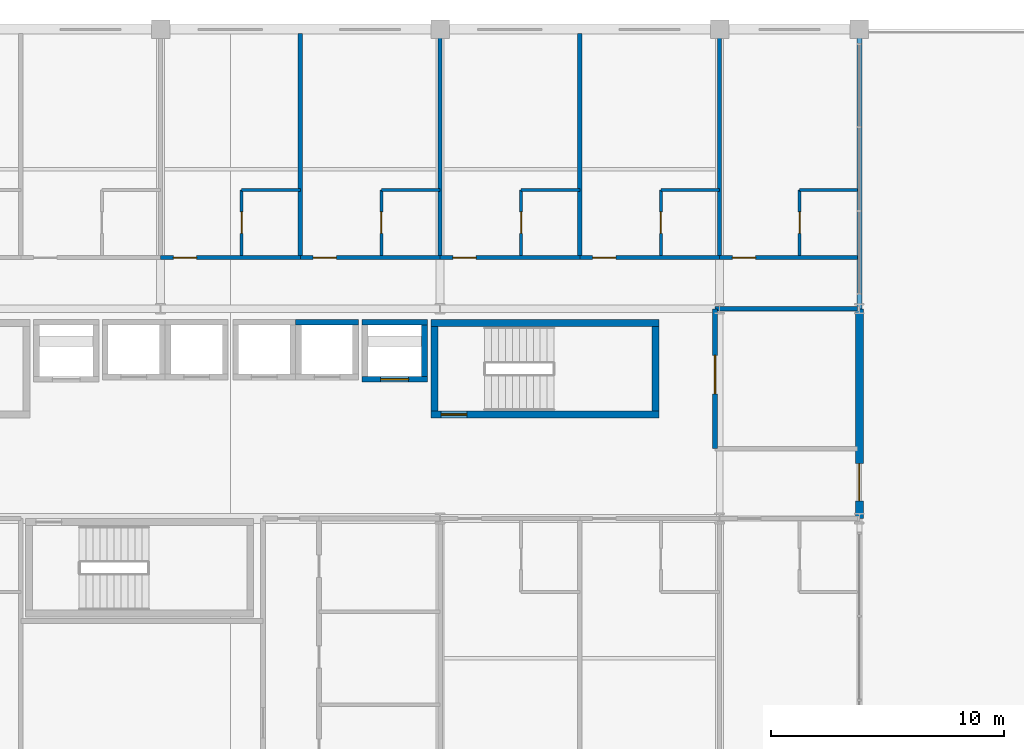
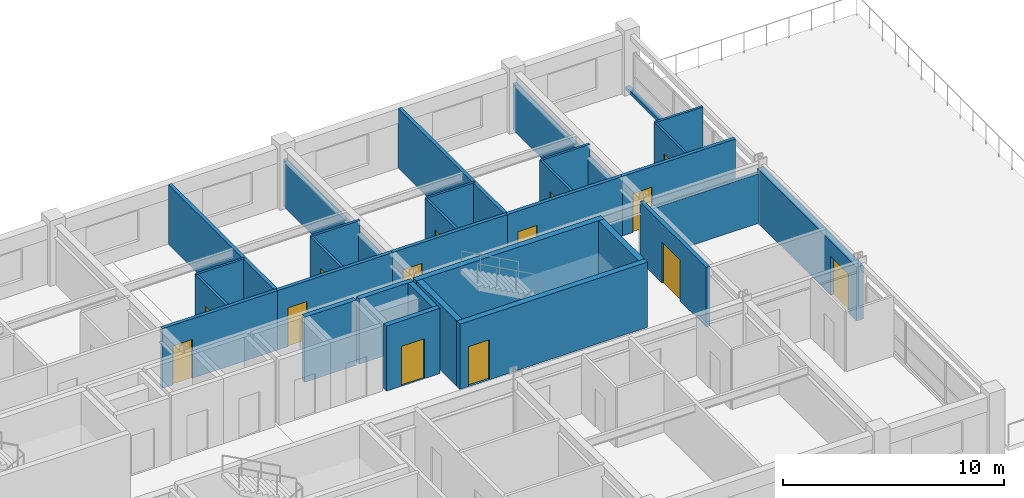
# One storey, part 24 of 27: 31 walls, 14 doors, 14 openings.
"""IFC4 building model written with IfcOpenShell, lengths in metres."""

import ifcopenshell
import ifcopenshell.guid

model = None  # the IFC model being written
_history = None  # IfcOwnerHistory: only IFC2X3 demands one
_inside = {}  # id of a spatial element -> (the spatial element, [elements in it])
_under = {}  # id of a project, library or spatial element -> (it, [spatial elements below it])
_declared = {}  # id of a project -> (the project, [libraries it declares])
_typed = {}  # id of a type object -> (the type object, [elements of that type])
_made_of = {}  # id of a material, layer set ... -> (it, [elements and type objects made of it])


def new_model(schema):
    """Start an empty IFC model of exactly this schema.

    Asked for "IFC4X3", IfcOpenShell would pick the latest addendum, in which some entities
    have other attributes; the version numbers below select the first issue.
    IFC2X3 requires an IfcOwnerHistory on every rooted entity: one is made here for all.
    """
    global model, _history
    if schema == "IFC4X3":
        model = ifcopenshell.file(schema_version=(4, 3, 0, 0))
    else:
        model = ifcopenshell.file(schema=schema)
    _inside.clear()
    _under.clear()
    _declared.clear()
    _typed.clear()
    _made_of.clear()
    _history = None
    if model.schema == "IFC2X3":
        org = make("IfcOrganization", Name="unknown")
        user = make(
            "IfcPersonAndOrganization",
            ThePerson=make("IfcPerson", FamilyName="unknown"),
            TheOrganization=org,
        )
        app = make(
            "IfcApplication",
            ApplicationDeveloper=org,
            Version="unknown",
            ApplicationFullName="unknown",
            ApplicationIdentifier="unknown",
        )
        _history = make(
            "IfcOwnerHistory",
            OwningUser=user,
            OwningApplication=app,
            ChangeAction="ADDED",
            CreationDate=0,
        )
    return model


def make(cls, **values):
    """One entity of the class cls with the attributes given. An attribute that is None is left unset."""
    return model.create_entity(
        cls, **{name: value for name, value in values.items() if value is not None}
    )


def rooted(cls, **values):
    """An entity with a GlobalId (a new one), such as an element, a storey or a relation."""
    return make(cls, GlobalId=ifcopenshell.guid.new(), OwnerHistory=_history, **values)


def si_unit(unit_type, name, prefix=None):
    """IfcSIUnit, for example si_unit("LENGTHUNIT", "METRE", prefix="MILLI")."""
    return make("IfcSIUnit", UnitType=unit_type, Prefix=prefix, Name=name)


def assignment(units):
    """IfcUnitAssignment: the units of a project."""
    return None if units is None else make("IfcUnitAssignment", Units=units)


def point(xyz):
    """IfcCartesianPoint."""
    return None if xyz is None else make("IfcCartesianPoint", Coordinates=xyz)


def direction(xyz):
    """IfcDirection."""
    return None if xyz is None else make("IfcDirection", DirectionRatios=xyz)


def frame(location, z_axis=None, x_axis=None):
    """IfcAxis2Placement3D, a coordinate frame: its origin and axes. An axis left out is left unset."""
    return make(
        "IfcAxis2Placement3D",
        Location=point(location),
        Axis=direction(z_axis),
        RefDirection=direction(x_axis),
    )


def frame_2d(location, x_axis=None):
    """IfcAxis2Placement2D, a coordinate frame in the plane: its origin and x axis."""
    return make(
        "IfcAxis2Placement2D", Location=point(location), RefDirection=direction(x_axis)
    )


def origin():
    """The frame at (0, 0, 0) with its axes left unset."""
    return frame((0.0, 0.0, 0.0))


def place(relative_to, where):
    """IfcLocalPlacement: puts the frame where relative to a parent placement (None: the world)."""
    return make(
        "IfcLocalPlacement", PlacementRelTo=relative_to, RelativePlacement=where
    )


def context(
    kind, dimensions, precision=None, world=None, true_north=None, identifier=None
):
    """IfcGeometricRepresentationContext, for example the 3D "Model" context."""
    return make(
        "IfcGeometricRepresentationContext",
        ContextIdentifier=identifier,
        ContextType=kind,
        CoordinateSpaceDimension=dimensions,
        Precision=precision,
        WorldCoordinateSystem=world,
        TrueNorth=true_north,
    )


def subcontext(parent, identifier, kind, view, scale=None):
    """IfcGeometricRepresentationSubContext, for example "Body" below "Model"."""
    return make(
        "IfcGeometricRepresentationSubContext",
        ContextIdentifier=identifier,
        ContextType=kind,
        ParentContext=parent,
        TargetScale=scale,
        TargetView=view,
    )


def project(units=None, contexts=None):
    """IfcProject with its units and contexts."""
    return rooted(
        "IfcProject",
        Name="project",
        RepresentationContexts=contexts,
        UnitsInContext=assignment(units),
    )


def spatial(cls, under=None, at=None, **own):
    """A site, building, storey or space (cls), placed at a placement, below another one or the project."""
    s = rooted(cls, ObjectPlacement=at, **own)
    if under is not None:
        _under.setdefault(under.id(), (under, []))[1].append(s)
    return s


def profile(cls, at=None, kind="AREA", **sizes):
    """A parametric profile (cls). Its sizes go by their IFC names, for example OverallWidth=200.0."""
    return make(cls, ProfileType=kind, Position=at, **sizes)


def rectangle(**sizes):
    """IfcRectangleProfileDef."""
    return profile("IfcRectangleProfileDef", **sizes)


def extrude(swept, where, along, depth):
    """IfcExtrudedAreaSolid: the profile swept, set in the frame where, extruded along a direction by depth."""
    return make(
        "IfcExtrudedAreaSolid",
        SweptArea=swept,
        Position=where,
        ExtrudedDirection=direction(along),
        Depth=depth,
    )


def shape(context_of_items, identifier, shape_type, items):
    """IfcShapeRepresentation: the items that make up one representation, for example the "Body"."""
    return make(
        "IfcShapeRepresentation",
        ContextOfItems=context_of_items,
        RepresentationIdentifier=identifier,
        RepresentationType=shape_type,
        Items=items,
    )


def material(Name=None, Category=None):
    """IfcMaterial."""
    return make("IfcMaterial", Name=Name, Category=Category)


def layer(
    of_material, thickness, ventilated=None, Name=None, Category=None, Priority=None
):
    """IfcMaterialLayer: one layer of a wall or slab, of a material (None: an air gap)."""
    return make(
        "IfcMaterialLayer",
        Material=of_material,
        LayerThickness=thickness,
        IsVentilated=ventilated,
        Name=Name,
        Category=Category,
        Priority=Priority,
    )


def layer_set(layers, Name=None):
    """IfcMaterialLayerSet."""
    return make("IfcMaterialLayerSet", MaterialLayers=layers, LayerSetName=Name)


def made_of(thing, what):
    """Note that an element or type object is made of a material, layer set ...; save() writes the relation."""
    if what is not None:
        _made_of.setdefault(what.id(), (what, []))[1].append(thing)
    return thing


def type_object(cls, material=None, **own):
    """A type object (cls), such as IfcWallType, which elements share."""
    return made_of(rooted(cls, **own), material)


def element(
    cls,
    number,
    at=None,
    inside=None,
    cuts=None,
    type_object=None,
    material=None,
    context=None,
    identifier="Body",
    shape_type=None,
    held_by="IfcProductDefinitionShape",
    body=None,
    shapes=None,
    **own,
):
    """One element of the class cls, such as IfcWall. Its Tag is "e" and its number.

    at: its placement. inside: the storey or other place that contains it. cuts: it is an
    opening in that element (IfcRelVoidsElement). A single representation is given by context,
    identifier, shape_type and body (its items); several are given by shapes. held_by: the class
    of the entity that holds the representations. save() writes the other relations.
    """
    e = rooted(cls, Tag="e%d" % number, ObjectPlacement=at, **own)
    if body is not None:
        shapes = [shape(context, identifier, shape_type, body)]
    if shapes is not None:
        e.Representation = make(held_by, Representations=shapes)
    if inside is not None:
        _inside.setdefault(inside.id(), (inside, []))[1].append(e)
    if cuts is not None:
        rooted(
            "IfcRelVoidsElement", RelatingBuildingElement=cuts, RelatedOpeningElement=e
        )
    if type_object is not None:
        _typed.setdefault(type_object.id(), (type_object, []))[1].append(e)
    return made_of(e, material)


def fill(opening, filler):
    """IfcRelFillsElement: the door or window that sits in an opening."""
    return rooted(
        "IfcRelFillsElement",
        RelatingOpeningElement=opening,
        RelatedBuildingElement=filler,
    )


def aggregate(whole, parts):
    """IfcRelAggregates: a whole, such as a stair, and the parts it consists of."""
    return rooted("IfcRelAggregates", RelatingObject=whole, RelatedObjects=parts)


def save(model, path):
    """Write the relations noted so far, then the file.

    IfcRelAggregates (storeys below a building ...), IfcRelContainedInSpatialStructure (elements
    in a storey), IfcRelDefinesByType, IfcRelAssociatesMaterial and IfcRelDeclares: one each for
    every whole, place, type object, material and project.
    """
    for whole, parts in _under.values():
        aggregate(whole, parts)
    for where, things in _inside.values():
        rooted(
            "IfcRelContainedInSpatialStructure",
            RelatedElements=things,
            RelatingStructure=where,
        )
    for kind, things in _typed.values():
        rooted("IfcRelDefinesByType", RelatedObjects=things, RelatingType=kind)
    for what, things in _made_of.values():
        rooted("IfcRelAssociatesMaterial", RelatedObjects=things, RelatingMaterial=what)
    for by, libraries in _declared.values():
        rooted("IfcRelDeclares", RelatingContext=by, RelatedDefinitions=libraries)
    model.write(path)


model = new_model("IFC4")

# Units and contexts
model_context = context("Model", 3, precision=1e-05, world=origin(), true_north=direction((0.0, 1.0)))
body_context = subcontext(model_context, "Body", "Model", "MODEL_VIEW")
ifc_project = project(units=[si_unit("LENGTHUNIT", "METRE"), si_unit("AREAUNIT", "SQUARE_METRE"), si_unit("VOLUMEUNIT", "CUBIC_METRE"), si_unit("PLANEANGLEUNIT", "RADIAN"), si_unit("MASSUNIT", "GRAM", prefix="KILO")], contexts=[model_context])

# Site, building, storey
site_placement = place(None, origin())
site = spatial("IfcSite", under=ifc_project, at=site_placement, CompositionType="ELEMENT")
building_placement = place(site_placement, origin())
building = spatial("IfcBuilding", under=site, at=building_placement, Name="Kaldorvane Square Convention Centre", CompositionType="ELEMENT")
storey_placement = place(building_placement, frame((0.0, 0.0, 38.399993896484375)))
storey = spatial("IfcBuildingStorey", under=building, at=storey_placement, Name="L08", CompositionType="ELEMENT", Elevation=38.399993896484375)

# Wall, opening, door
ifc_material_1 = material(Name="Fire-Rated Gypsum Board on Acoustic Steel Studs", Category="steel")
ifc_layer_1 = layer(ifc_material_1, 0.125)
ifc_layer_set_1 = layer_set([ifc_layer_1], Name="Fire-Rated Gypsum Board on Acoustic Steel Studs")
wall_type_1 = type_object("IfcWallType", Name="WL-BATH-125", PredefinedType="PARTITIONING", material=ifc_layer_set_1)
wall_1_placement = place(storey_placement, frame((57.47999572753906, 107.28999328613281, 0.0), z_axis=(0.0, 0.0, 1.0), x_axis=(0.0, 1.0, 0.0)))
wall_1 = element("IfcWall", 1, at=wall_1_placement, inside=storey, type_object=wall_type_1, Name="En-Suite 806 West Wall", PredefinedType="PARTITIONING", context=body_context, shape_type="SweptSolid", body=[
    extrude(rectangle(XDim=2.8100128173828125, YDim=0.125, at=frame_2d((1.404998779296875, 0.0))), origin(), (0.0, 0.0, 1.0), 3.290008544921875),
])
opening_1_placement = place(wall_1_placement, frame((0.9499969482421875, 0.0, 0.0)))
opening_1 = element("IfcOpeningElement", 2, at=opening_1_placement, cuts=wall_1, Name="Opening ID-12", PredefinedType="OPENING", context=body_context, shape_type="SweptSolid", body=[
    extrude(rectangle(XDim=0.9199981689453125, YDim=2.100006103515625, at=frame_2d((0.459991455078125, 1.0500030517578125))), frame((0.0, 0.0774993896484375, 0.0), z_axis=(0.0, -1.0, 0.0), x_axis=(1.0, 0.0, 0.0)), (0.0, 0.0, 1.0), 0.154998779296875),
])
ifc_material_2 = material(Name="Architectural Solid-Core White Oak")
door_type_1 = type_object("IfcDoorType", Name="DR-BATH-0920X2100", OperationType="SINGLE_SWING_RIGHT", PredefinedType="DOOR", material=ifc_material_2)
door_1_placement = place(opening_1_placement, origin())
door_1 = element("IfcDoor", 3, at=door_1_placement, inside=storey, type_object=door_type_1, Name="En-Suite Bathroom 806 Door", OperationType="SINGLE_SWING_RIGHT", OverallHeight=2.100006103515625, OverallWidth=0.9199981689453125, PredefinedType="DOOR", context=body_context, shape_type="SweptSolid", body=[
    extrude(rectangle(XDim=0.9199981689453125, YDim=2.100006103515625, at=frame_2d((0.459991455078125, 1.0500030517578125))), frame((0.0, 0.024993896484375, 0.0), z_axis=(0.0, -1.0, 0.0), x_axis=(1.0, 0.0, 0.0)), (0.0, 0.0, 1.0), 0.0500030517578125),
])
fill(opening_1, door_1)

# Wall
wall_2_placement = place(storey_placement, frame((57.47999572753906, 110.10000610351562, 0.0), z_axis=(0.0, 0.0, 1.0), x_axis=(1.0, 0.0, 0.0)))
element("IfcWall", 4, at=wall_2_placement, inside=storey, type_object=wall_type_1, Name="En-Suite 806 North Wall", PredefinedType="PARTITIONING", context=body_context, shape_type="SweptSolid", body=[
    extrude(rectangle(XDim=2.5200042724609375, YDim=0.125, at=frame_2d((1.260009765625, 0.0))), origin(), (0.0, 0.0, 1.0), 3.290008544921875),
])

# Wall, opening, door
wall_3_placement = place(storey_placement, frame((63.47999572753906, 107.28999328613281, 0.0), z_axis=(0.0, 0.0, 1.0), x_axis=(0.0, 1.0, 0.0)))
wall_3 = element("IfcWall", 5, at=wall_3_placement, inside=storey, type_object=wall_type_1, Name="En-Suite 807 West Wall", PredefinedType="PARTITIONING", context=body_context, shape_type="SweptSolid", body=[
    extrude(rectangle(XDim=2.8100128173828125, YDim=0.125, at=frame_2d((1.404998779296875, 0.0))), origin(), (0.0, 0.0, 1.0), 3.290008544921875),
])
opening_2_placement = place(wall_3_placement, frame((0.9499969482421875, 0.0, 0.0)))
opening_2 = element("IfcOpeningElement", 6, at=opening_2_placement, cuts=wall_3, Name="Opening ID-12", PredefinedType="OPENING", context=body_context, shape_type="SweptSolid", body=[
    extrude(rectangle(XDim=0.9199981689453125, YDim=2.100006103515625, at=frame_2d((0.459991455078125, 1.0500030517578125))), frame((0.0, 0.0774993896484375, 0.0), z_axis=(0.0, -1.0, 0.0), x_axis=(1.0, 0.0, 0.0)), (0.0, 0.0, 1.0), 0.154998779296875),
])
door_2_placement = place(opening_2_placement, origin())
door_2 = element("IfcDoor", 7, at=door_2_placement, inside=storey, type_object=door_type_1, Name="En-Suite Bathroom 807 Door", OperationType="SINGLE_SWING_RIGHT", OverallHeight=2.100006103515625, OverallWidth=0.9199981689453125, PredefinedType="DOOR", context=body_context, shape_type="SweptSolid", body=[
    extrude(rectangle(XDim=0.9199981689453125, YDim=2.100006103515625, at=frame_2d((0.459991455078125, 1.0500030517578125))), frame((0.0, 0.024993896484375, 0.0), z_axis=(0.0, -1.0, 0.0), x_axis=(1.0, 0.0, 0.0)), (0.0, 0.0, 1.0), 0.0500030517578125),
])
fill(opening_2, door_2)

# Wall
wall_4_placement = place(storey_placement, frame((63.47999572753906, 110.10000610351562, 0.0), z_axis=(0.0, 0.0, 1.0), x_axis=(1.0, 0.0, 0.0)))
element("IfcWall", 8, at=wall_4_placement, inside=storey, type_object=wall_type_1, Name="En-Suite 807 North Wall", PredefinedType="PARTITIONING", context=body_context, shape_type="SweptSolid", body=[
    extrude(rectangle(XDim=2.5200042724609375, YDim=0.125, at=frame_2d((1.260009765625, 0.0))), origin(), (0.0, 0.0, 1.0), 3.290008544921875),
])

# Wall, opening, door
wall_5_placement = place(storey_placement, frame((69.47999572753906, 107.28999328613281, 0.0), z_axis=(0.0, 0.0, 1.0), x_axis=(0.0, 1.0, 0.0)))
wall_5 = element("IfcWall", 9, at=wall_5_placement, inside=storey, type_object=wall_type_1, Name="En-Suite 808 West Wall", PredefinedType="PARTITIONING", context=body_context, shape_type="SweptSolid", body=[
    extrude(rectangle(XDim=2.8100128173828125, YDim=0.125, at=frame_2d((1.404998779296875, 0.0))), origin(), (0.0, 0.0, 1.0), 3.290008544921875),
])
opening_3_placement = place(wall_5_placement, frame((0.9499969482421875, 0.0, 0.0)))
opening_3 = element("IfcOpeningElement", 10, at=opening_3_placement, cuts=wall_5, Name="Opening ID-12", PredefinedType="OPENING", context=body_context, shape_type="SweptSolid", body=[
    extrude(rectangle(XDim=0.9199981689453125, YDim=2.100006103515625, at=frame_2d((0.459991455078125, 1.0500030517578125))), frame((0.0, 0.0774993896484375, 0.0), z_axis=(0.0, -1.0, 0.0), x_axis=(1.0, 0.0, 0.0)), (0.0, 0.0, 1.0), 0.154998779296875),
])
door_3_placement = place(opening_3_placement, origin())
door_3 = element("IfcDoor", 11, at=door_3_placement, inside=storey, type_object=door_type_1, Name="En-Suite Bathroom 808 Door", OperationType="SINGLE_SWING_RIGHT", OverallHeight=2.100006103515625, OverallWidth=0.9199981689453125, PredefinedType="DOOR", context=body_context, shape_type="SweptSolid", body=[
    extrude(rectangle(XDim=0.9199981689453125, YDim=2.100006103515625, at=frame_2d((0.459991455078125, 1.0500030517578125))), frame((0.0, 0.024993896484375, 0.0), z_axis=(0.0, -1.0, 0.0), x_axis=(1.0, 0.0, 0.0)), (0.0, 0.0, 1.0), 0.0500030517578125),
])
fill(opening_3, door_3)

# Wall
wall_6_placement = place(storey_placement, frame((69.47999572753906, 110.10000610351562, 0.0), z_axis=(0.0, 0.0, 1.0), x_axis=(1.0, 0.0, 0.0)))
element("IfcWall", 12, at=wall_6_placement, inside=storey, type_object=wall_type_1, Name="En-Suite 808 North Wall", PredefinedType="PARTITIONING", context=body_context, shape_type="SweptSolid", body=[
    extrude(rectangle(XDim=2.5200042724609375, YDim=0.125, at=frame_2d((1.260009765625, 0.0))), origin(), (0.0, 0.0, 1.0), 3.290008544921875),
])

# Wall, opening, door
wall_7_placement = place(storey_placement, frame((75.47999572753906, 107.28999328613281, 0.0), z_axis=(0.0, 0.0, 1.0), x_axis=(0.0, 1.0, 0.0)))
wall_7 = element("IfcWall", 13, at=wall_7_placement, inside=storey, type_object=wall_type_1, Name="En-Suite 809 West Wall", PredefinedType="PARTITIONING", context=body_context, shape_type="SweptSolid", body=[
    extrude(rectangle(XDim=2.8100128173828125, YDim=0.125, at=frame_2d((1.404998779296875, 0.0))), origin(), (0.0, 0.0, 1.0), 3.290008544921875),
])
opening_4_placement = place(wall_7_placement, frame((0.9499969482421875, 0.0, 0.0)))
opening_4 = element("IfcOpeningElement", 14, at=opening_4_placement, cuts=wall_7, Name="Opening ID-12", PredefinedType="OPENING", context=body_context, shape_type="SweptSolid", body=[
    extrude(rectangle(XDim=0.9199981689453125, YDim=2.100006103515625, at=frame_2d((0.459991455078125, 1.0500030517578125))), frame((0.0, 0.0774993896484375, 0.0), z_axis=(0.0, -1.0, 0.0), x_axis=(1.0, 0.0, 0.0)), (0.0, 0.0, 1.0), 0.154998779296875),
])
door_4_placement = place(opening_4_placement, origin())
door_4 = element("IfcDoor", 15, at=door_4_placement, inside=storey, type_object=door_type_1, Name="En-Suite Bathroom 809 Door", OperationType="SINGLE_SWING_RIGHT", OverallHeight=2.100006103515625, OverallWidth=0.9199981689453125, PredefinedType="DOOR", context=body_context, shape_type="SweptSolid", body=[
    extrude(rectangle(XDim=0.9199981689453125, YDim=2.100006103515625, at=frame_2d((0.459991455078125, 1.0500030517578125))), frame((0.0, 0.024993896484375, 0.0), z_axis=(0.0, -1.0, 0.0), x_axis=(1.0, 0.0, 0.0)), (0.0, 0.0, 1.0), 0.0500030517578125),
])
fill(opening_4, door_4)

# Wall
wall_8_placement = place(storey_placement, frame((75.47999572753906, 110.10000610351562, 0.0), z_axis=(0.0, 0.0, 1.0), x_axis=(1.0, 0.0, 0.0)))
element("IfcWall", 16, at=wall_8_placement, inside=storey, type_object=wall_type_1, Name="En-Suite 809 North Wall", PredefinedType="PARTITIONING", context=body_context, shape_type="SweptSolid", body=[
    extrude(rectangle(XDim=2.5200042724609375, YDim=0.125, at=frame_2d((1.260009765625, 0.0))), origin(), (0.0, 0.0, 1.0), 3.290008544921875),
])

# Wall, opening, door
wall_9_placement = place(storey_placement, frame((81.43499755859375, 107.28999328613281, 0.0), z_axis=(0.0, 0.0, 1.0), x_axis=(0.0, 1.0, 0.0)))
wall_9 = element("IfcWall", 17, at=wall_9_placement, inside=storey, type_object=wall_type_1, Name="En-Suite 810 West Wall", PredefinedType="PARTITIONING", context=body_context, shape_type="SweptSolid", body=[
    extrude(rectangle(XDim=2.8100128173828125, YDim=0.125, at=frame_2d((1.404998779296875, 0.0))), origin(), (0.0, 0.0, 1.0), 3.290008544921875),
])
opening_5_placement = place(wall_9_placement, frame((0.9499969482421875, 0.0, 0.0)))
opening_5 = element("IfcOpeningElement", 18, at=opening_5_placement, cuts=wall_9, Name="Opening ID-12", PredefinedType="OPENING", context=body_context, shape_type="SweptSolid", body=[
    extrude(rectangle(XDim=0.9199981689453125, YDim=2.100006103515625, at=frame_2d((0.459991455078125, 1.0500030517578125))), frame((0.0, 0.0774993896484375, 0.0), z_axis=(0.0, -1.0, 0.0), x_axis=(1.0, 0.0, 0.0)), (0.0, 0.0, 1.0), 0.154998779296875),
])
door_5_placement = place(opening_5_placement, origin())
door_5 = element("IfcDoor", 19, at=door_5_placement, inside=storey, type_object=door_type_1, Name="En-Suite Bathroom 810 Door", OperationType="SINGLE_SWING_RIGHT", OverallHeight=2.100006103515625, OverallWidth=0.9199981689453125, PredefinedType="DOOR", context=body_context, shape_type="SweptSolid", body=[
    extrude(rectangle(XDim=0.9199981689453125, YDim=2.100006103515625, at=frame_2d((0.459991455078125, 1.0500030517578125))), frame((0.0, 0.024993896484375, 0.0), z_axis=(0.0, -1.0, 0.0), x_axis=(1.0, 0.0, 0.0)), (0.0, 0.0, 1.0), 0.0500030517578125),
])
fill(opening_5, door_5)

# Walls
wall_10_placement = place(storey_placement, frame((81.43499755859375, 110.10000610351562, 0.0), z_axis=(0.0, 0.0, 1.0), x_axis=(1.0, 0.0, 0.0)))
element("IfcWall", 20, at=wall_10_placement, inside=storey, type_object=wall_type_1, Name="En-Suite 810 North Wall", PredefinedType="PARTITIONING", context=body_context, shape_type="SweptSolid", body=[
    extrude(rectangle(XDim=2.4799957275390625, YDim=0.125, at=frame_2d((1.239990234375, 0.0))), origin(), (0.0, 0.0, 1.0), 3.290008544921875),
])
ifc_layer_2 = layer(ifc_material_1, 0.1999969482421875)
ifc_layer_set_2 = layer_set([ifc_layer_2], Name="Fire-Rated Gypsum Board on Acoustic Steel Studs")
wall_type_2 = type_object("IfcWallType", Name="WL-CORR-200", PredefinedType="PARTITIONING", material=ifc_layer_set_2)
wall_11_placement = place(storey_placement, frame((83.91499328613281, 105.0, 0.0), z_axis=(0.0, 0.0, 1.0), x_axis=(-1.0, 0.0, 0.0)))
element("IfcWall", 21, at=wall_11_placement, inside=storey, type_object=wall_type_2, Name="East Square View Lounge (L08) N Wall", PredefinedType="PARTITIONING", context=body_context, shape_type="SweptSolid", body=[
    extrude(rectangle(XDim=6.114990234375, YDim=0.1999969482421875, at=frame_2d((3.0574951171875, 0.0))), origin(), (0.0, 0.0, 1.0), 2.7360076904296875),
])

# Wall, opening, door
wall_12_placement = place(storey_placement, frame((77.80000305175781, 105.0, 0.0), z_axis=(0.0, 0.0, 1.0), x_axis=(0.0, -1.0, 0.0)))
wall_12 = element("IfcWall", 22, at=wall_12_placement, inside=storey, type_object=wall_type_2, Name="East Square View Lounge (L08) W Wall", PredefinedType="PARTITIONING", context=body_context, shape_type="SweptSolid", body=[
    extrude(rectangle(XDim=6.0, YDim=0.1999969482421875, at=frame_2d((3.0, 0.0))), origin(), (0.0, 0.0, 1.0), 3.290008544921875),
])
opening_6_placement = place(wall_12_placement, frame((2.0, 0.0, 0.0)))
opening_6 = element("IfcOpeningElement", 23, at=opening_6_placement, cuts=wall_12, Name="Opening ID-16", PredefinedType="OPENING", context=body_context, shape_type="SweptSolid", body=[
    extrude(rectangle(XDim=1.649993896484375, YDim=2.25, at=frame_2d((0.8249969482421875, 1.125))), frame((0.0, 0.114990234375, 0.0), z_axis=(0.0, -1.0, 0.0), x_axis=(1.0, 0.0, 0.0)), (0.0, 0.0, 1.0), 0.2299957275390625),
])
ifc_material_3 = material(Name="Acoustic Laminated Glass in Aluminum Frame", Category="aluminium")
door_type_2 = type_object("IfcDoorType", Name="DR-GL-1650X2250", OperationType="DOUBLE_DOOR_SINGLE_SWING", PredefinedType="DOOR", material=ifc_material_3)
door_6_placement = place(opening_6_placement, origin())
door_6 = element("IfcDoor", 24, at=door_6_placement, inside=storey, type_object=door_type_2, Name="East Square View Lounge (L08) Door 1", OperationType="DOUBLE_DOOR_SINGLE_SWING", OverallHeight=2.25, OverallWidth=1.649993896484375, PredefinedType="DOOR", context=body_context, shape_type="SweptSolid", body=[
    extrude(rectangle(XDim=1.649993896484375, YDim=2.25, at=frame_2d((0.8249969482421875, 1.125))), frame((0.0, 0.024993896484375, 0.0), z_axis=(0.0, -1.0, 0.0), x_axis=(1.0, 0.0, 0.0)), (0.0, 0.0, 1.0), 0.0500030517578125),
])
fill(opening_6, door_6)

ifc_material_4 = material(Name="Concrete f'c = 42 MPa (Normalweight)", Category="concrete")
ifc_layer_3 = layer(ifc_material_4, 0.350006103515625)
ifc_layer_set_3 = layer_set([ifc_layer_3], Name="Concrete f'c = 42 MPa (Normalweight)")
wall_type_3 = type_object("IfcWallType", Name="WL-EXT-350", PredefinedType="STANDARD", material=ifc_layer_set_3)
wall_13_placement = place(storey_placement, frame((84.0, 96.0, 0.0), z_axis=(0.0, 0.0, 1.0), x_axis=(0.0, 1.0, 0.0)))
wall_13 = element("IfcWall", 25, at=wall_13_placement, inside=storey, type_object=wall_type_3, Name="Hotel E End Wall (L08)", PredefinedType="STANDARD", context=body_context, shape_type="SweptSolid", body=[
    extrude(rectangle(XDim=9.0, YDim=0.350006103515625, at=frame_2d((4.5, 0.0))), origin(), (0.0, 0.0, 1.0), 2.9810028076171875),
])
opening_7_placement = place(wall_13_placement, frame((0.75, 0.0, 0.0)))
opening_7 = element("IfcOpeningElement", 26, at=opening_7_placement, cuts=wall_13, Name="Opening TD-02", PredefinedType="OPENING", context=body_context, shape_type="SweptSolid", body=[
    extrude(rectangle(XDim=1.600006103515625, YDim=2.149993896484375, at=frame_2d((0.8000030517578125, 1.0749969482421875))), frame((0.0, 0.19000244140625, 0.0), z_axis=(0.0, -1.0, 0.0), x_axis=(1.0, 0.0, 0.0)), (0.0, 0.0, 1.0), 0.3800048828125),
])
ifc_material_5 = material(Name="Thermally Broken Aluminum and Tempered Glass", Category="aluminium")
door_type_3 = type_object("IfcDoorType", Name="DR-TER-1600X2150", OperationType="DOUBLE_DOOR_SLIDING", PredefinedType="DOOR", material=ifc_material_5)
door_7_placement = place(opening_7_placement, origin())
door_7 = element("IfcDoor", 27, at=door_7_placement, inside=storey, type_object=door_type_3, Name="Setback Sky Terrace Door E (L08)", OperationType="DOUBLE_DOOR_SLIDING", OverallHeight=2.149993896484375, OverallWidth=1.600006103515625, PredefinedType="DOOR", context=body_context, shape_type="SweptSolid", body=[
    extrude(rectangle(XDim=1.600006103515625, YDim=2.149993896484375, at=frame_2d((0.8000030517578125, 1.0749969482421875))), frame((0.0, 0.024993896484375, 0.0), z_axis=(0.0, -1.0, 0.0), x_axis=(1.0, 0.0, 0.0)), (0.0, 0.0, 1.0), 0.0500030517578125),
])
fill(opening_7, door_7)

# Wall
ifc_material_6 = material(Name="Concrete f'c = 35 MPa (Normalweight)", Category="concrete")
ifc_layer_4 = layer(ifc_material_6, 0.220001220703125)
ifc_layer_set_4 = layer_set([ifc_layer_4], Name="Concrete f'c = 35 MPa (Normalweight)")
wall_type_4 = type_object("IfcWallType", Name="WL-PAR-220", PredefinedType="PARAPET", material=ifc_layer_set_4)
wall_14_placement = place(storey_placement, frame((84.0, 105.0, 0.0), z_axis=(0.0, 0.0, 1.0), x_axis=(0.0, 1.0, 0.0)))
element("IfcWall", 28, at=wall_14_placement, inside=storey, type_object=wall_type_4, Name="Hotel End Curtain-Wall Sill (L08)", PredefinedType="PARAPET", context=body_context, shape_type="SweptSolid", body=[
    extrude(rectangle(XDim=12.0, YDim=0.220001220703125, at=frame_2d((6.0, 0.0))), origin(), (0.0, 0.0, 1.0), 0.20001220703125),
])

# Wall, opening, door
ifc_material_7 = material(Name="Concrete f'c = 55 MPa (Normalweight)", Category="concrete")
ifc_layer_5 = layer(ifc_material_7, 0.3000030517578125)
ifc_layer_set_5 = layer_set([ifc_layer_5], Name="Concrete f'c = 55 MPa (Normalweight)")
wall_type_5 = type_object("IfcWallType", Name="WL-SHAFT-300", PredefinedType="SHEAR", material=ifc_layer_set_5)
wall_15_placement = place(storey_placement, frame((65.60000610351562, 100.46000671386719, 0.0), z_axis=(0.0, 0.0, 1.0), x_axis=(1.0, 0.0, 0.0)))
wall_15 = element("IfcWall", 29, at=wall_15_placement, inside=storey, type_object=wall_type_5, Name="Core Enclosure Wall stair:ST-T2-S (L08)", PredefinedType="SHEAR", context=body_context, shape_type="SweptSolid", body=[
    extrude(rectangle(XDim=9.79998779296875, YDim=0.3000030517578125, at=frame_2d((4.899993896484375, 0.0))), origin(), (0.0, 0.0, 1.0), 3.600006103515625),
])
opening_8_placement = place(wall_15_placement, frame((0.4499969482421875, 0.0, 0.0)))
opening_8 = element("IfcOpeningElement", 30, at=opening_8_placement, cuts=wall_15, Name="Opening FD90-S1", PredefinedType="OPENING", context=body_context, shape_type="SweptSolid", body=[
    extrude(rectangle(XDim=1.100006103515625, YDim=2.1999969482421875, at=frame_2d((0.5500030517578125, 1.100006103515625))), frame((0.0, 0.165008544921875, 0.0), z_axis=(0.0, -1.0, 0.0), x_axis=(1.0, 0.0, 0.0)), (0.0, 0.0, 1.0), 0.3300018310546875),
])
ifc_material_8 = material(Name="Fire-Rated Hollow Metal Steel", Category="steel")
door_type_4 = type_object("IfcDoorType", Name="DR-STAIR-1100", OperationType="SINGLE_SWING_RIGHT", PredefinedType="DOOR", material=ifc_material_8)
door_8_placement = place(opening_8_placement, origin())
door_8 = element("IfcDoor", 31, at=door_8_placement, inside=storey, type_object=door_type_4, Name="Tower Exit Stair T2 Fire Door (L08)", OperationType="SINGLE_SWING_RIGHT", OverallHeight=2.1999969482421875, OverallWidth=1.100006103515625, PredefinedType="DOOR", context=body_context, shape_type="SweptSolid", body=[
    extrude(rectangle(XDim=1.100006103515625, YDim=2.1999969482421875, at=frame_2d((0.5500030517578125, 1.100006103515625))), frame((0.0, 0.024993896484375, 0.0), z_axis=(0.0, -1.0, 0.0), x_axis=(1.0, 0.0, 0.0)), (0.0, 0.0, 1.0), 0.0500030517578125),
])
fill(opening_8, door_8)

# Walls
wall_16_placement = place(storey_placement, frame((75.39999389648438, 104.39999389648438, 0.0), z_axis=(0.0, 0.0, 1.0), x_axis=(-1.0, 0.0, 0.0)))
element("IfcWall", 32, at=wall_16_placement, inside=storey, type_object=wall_type_5, Name="Core Enclosure Wall stair:ST-T2-N (L08)", PredefinedType="SHEAR", context=body_context, shape_type="SweptSolid", body=[
    extrude(rectangle(XDim=9.79998779296875, YDim=0.3000030517578125, at=frame_2d((4.899993896484375, 0.0))), origin(), (0.0, 0.0, 1.0), 3.600006103515625),
])
for number, where, z_axis, x_axis, name in (
    (33, (65.75, 104.25, 0.0), (0.0, 0.0, 1.0), (0.0, -1.0, 0.0), "Core Enclosure Wall stair:ST-T2-W (L08)"),
    (34, (75.25, 100.61000061035156, 0.0), (0.0, 0.0, 1.0), (0.0, 1.0, 0.0), "Core Enclosure Wall stair:ST-T2-E (L08)"),
):
    element("IfcWall", number, at=place(storey_placement, frame(where, z_axis=z_axis, x_axis=x_axis)), inside=storey, type_object=wall_type_5, Name=name, PredefinedType="SHEAR", context=body_context, shape_type="SweptSolid", body=[
        extrude(rectangle(XDim=3.6399993896484375, YDim=0.3000030517578125, at=frame_2d((1.82000732421875, 0.0))), origin(), (0.0, 0.0, 1.0), 3.600006103515625),
    ])

# Wall, opening, door
wall_17_placement = place(storey_placement, frame((62.649993896484375, 101.97500610351562, 0.0), z_axis=(0.0, 0.0, 1.0), x_axis=(1.0, 0.0, 0.0)))
wall_17 = element("IfcWall", 35, at=wall_17_placement, inside=storey, type_object=wall_type_5, Name="Core Enclosure Wall lift:FSAE-02-S (L08)", PredefinedType="SHEAR", context=body_context, shape_type="SweptSolid", body=[
    extrude(rectangle(XDim=2.8000030517578125, YDim=0.25, at=frame_2d((1.399993896484375, 0.0))), origin(), (0.0, 0.0, 1.0), 3.600006103515625),
])
opening_9_placement = place(wall_17_placement, frame((0.8000030517578125, 0.0, 0.0)))
opening_9 = element("IfcOpeningElement", 36, at=opening_9_placement, cuts=wall_17, Name="Opening LD-02", PredefinedType="OPENING", context=body_context, shape_type="SweptSolid", body=[
    extrude(rectangle(XDim=1.1999969482421875, YDim=2.1999969482421875, at=frame_2d((0.600006103515625, 1.100006103515625))), frame((0.0, 0.1399993896484375, 0.0), z_axis=(0.0, -1.0, 0.0), x_axis=(1.0, 0.0, 0.0)), (0.0, 0.0, 1.0), 0.279998779296875),
])
ifc_material_9 = material(Name="Stainless Steel Elevator Door Assembly", Category="steel")
door_type_5 = type_object("IfcDoorType", Name="DR-LIFT-1200", OperationType="DOUBLE_DOOR_SLIDING", PredefinedType="DOOR", material=ifc_material_9)
door_9_placement = place(opening_9_placement, origin())
door_9 = element("IfcDoor", 37, at=door_9_placement, inside=storey, type_object=door_type_5, Name="Elevator Landing Door FSAE-02 (L08)", OperationType="DOUBLE_DOOR_SLIDING", OverallHeight=2.1999969482421875, OverallWidth=1.1999969482421875, PredefinedType="DOOR", context=body_context, shape_type="SweptSolid", body=[
    extrude(rectangle(XDim=1.1999969482421875, YDim=2.1999969482421875, at=frame_2d((0.600006103515625, 1.100006103515625))), frame((0.0, 0.024993896484375, 0.0), z_axis=(0.0, -1.0, 0.0), x_axis=(1.0, 0.0, 0.0)), (0.0, 0.0, 1.0), 0.0500030517578125),
])
fill(opening_9, door_9)

# Walls
wall_18_placement = place(storey_placement, frame((65.44999694824219, 104.42500305175781, 0.0), z_axis=(0.0, 0.0, 1.0), x_axis=(-1.0, 0.0, 0.0)))
element("IfcWall", 38, at=wall_18_placement, inside=storey, type_object=wall_type_5, Name="Core Enclosure Wall lift:FSAE-02-N (L08)", PredefinedType="SHEAR", context=body_context, shape_type="SweptSolid", body=[
    extrude(rectangle(XDim=2.8000030517578125, YDim=0.25, at=frame_2d((1.399993896484375, 0.0))), origin(), (0.0, 0.0, 1.0), 3.600006103515625),
])
wall_19_placement = place(storey_placement, frame((65.32499694824219, 102.10000610351562, 0.0), z_axis=(0.0, 0.0, 1.0), x_axis=(0.0, 1.0, 0.0)))
element("IfcWall", 39, at=wall_19_placement, inside=storey, type_object=wall_type_5, Name="Core Enclosure Wall lift:FSAE-02-E (L08)", PredefinedType="SHEAR", context=body_context, shape_type="SweptSolid", body=[
    extrude(rectangle(XDim=2.1999969482421875, YDim=0.25, at=frame_2d((1.100006103515625, 0.0))), origin(), (0.0, 0.0, 1.0), 3.600006103515625),
])
wall_20_placement = place(storey_placement, frame((62.5, 104.42500305175781, 0.0), z_axis=(0.0, 0.0, 1.0), x_axis=(-1.0, 0.0, 0.0)))
element("IfcWall", 40, at=wall_20_placement, inside=storey, type_object=wall_type_5, Name="Core Enclosure Wall lift:EL-P4-N (L08)", PredefinedType="SHEAR", context=body_context, shape_type="SweptSolid", body=[
    extrude(rectangle(XDim=2.6999969482421875, YDim=0.25, at=frame_2d((1.350006103515625, 0.0))), origin(), (0.0, 0.0, 1.0), 3.600006103515625),
])

# Wall, opening, door
ifc_layer_6 = layer(ifc_material_1, 0.17999267578125)
ifc_layer_set_6 = layer_set([ifc_layer_6], Name="Fire-Rated Gypsum Board on Acoustic Steel Studs")
wall_type_6 = type_object("IfcWallType", Name="WL-UNIT-180", PredefinedType="PARTITIONING", material=ifc_layer_set_6)
wall_21_placement = place(storey_placement, frame((54.0, 107.19999694824219, 0.0), z_axis=(0.0, 0.0, 1.0), x_axis=(1.0, 0.0, 0.0)))
wall_21 = element("IfcWall", 41, at=wall_21_placement, inside=storey, type_object=wall_type_6, Name="Hotel Guest Room 806 Corridor Wall", PredefinedType="PARTITIONING", context=body_context, shape_type="SweptSolid", body=[
    extrude(rectangle(XDim=6.0, YDim=0.17999267578125, at=frame_2d((3.0, 0.0))), origin(), (0.0, 0.0, 1.0), 3.290008544921875),
])
opening_10_placement = place(wall_21_placement, frame((0.5500030517578125, 0.0, 0.0)))
opening_10 = element("IfcOpeningElement", 42, at=opening_10_placement, cuts=wall_21, Name="Opening ID-10", PredefinedType="OPENING", context=body_context, shape_type="SweptSolid", body=[
    extrude(rectangle(XDim=1.0, YDim=2.149993896484375, at=frame_2d((0.5, 1.0749969482421875))), frame((0.0, 0.1049957275390625, 0.0), z_axis=(0.0, -1.0, 0.0), x_axis=(1.0, 0.0, 0.0)), (0.0, 0.0, 1.0), 0.209991455078125),
])
door_type_6 = type_object("IfcDoorType", Name="DR-GUEST-1000X2150", OperationType="SINGLE_SWING_LEFT", PredefinedType="DOOR", material=ifc_material_2)
door_10_placement = place(opening_10_placement, origin())
door_10 = element("IfcDoor", 43, at=door_10_placement, inside=storey, type_object=door_type_6, Name="Hotel Guest Room 806 Entry Door", OperationType="SINGLE_SWING_LEFT", OverallHeight=2.149993896484375, OverallWidth=1.0, PredefinedType="DOOR", context=body_context, shape_type="SweptSolid", body=[
    extrude(rectangle(XDim=1.0, YDim=2.149993896484375, at=frame_2d((0.5, 1.0749969482421875))), frame((0.0, 0.024993896484375, 0.0), z_axis=(0.0, -1.0, 0.0), x_axis=(1.0, 0.0, 0.0)), (0.0, 0.0, 1.0), 0.0500030517578125),
])
fill(opening_10, door_10)

# Wall
wall_22_placement = place(storey_placement, frame((60.0, 107.19999694824219, 0.0), z_axis=(0.0, 0.0, 1.0), x_axis=(0.0, 1.0, 0.0)))
element("IfcWall", 44, at=wall_22_placement, inside=storey, type_object=wall_type_6, Name="Guestroom Demising Wall 806", PredefinedType="PARTITIONING", context=body_context, shape_type="SweptSolid", body=[
    extrude(rectangle(XDim=9.625, YDim=0.17999267578125, at=frame_2d((4.8125, 0.0))), origin(), (0.0, 0.0, 1.0), 3.290008544921875),
])

# Wall, opening, door
wall_23_placement = place(storey_placement, frame((60.0, 107.19999694824219, 0.0), z_axis=(0.0, 0.0, 1.0), x_axis=(1.0, 0.0, 0.0)))
wall_23 = element("IfcWall", 45, at=wall_23_placement, inside=storey, type_object=wall_type_6, Name="Hotel Guest Room 807 Corridor Wall", PredefinedType="PARTITIONING", context=body_context, shape_type="SweptSolid", body=[
    extrude(rectangle(XDim=6.0, YDim=0.17999267578125, at=frame_2d((3.0, 0.0))), origin(), (0.0, 0.0, 1.0), 3.290008544921875),
])
opening_11_placement = place(wall_23_placement, frame((0.5500030517578125, 0.0, 0.0)))
opening_11 = element("IfcOpeningElement", 46, at=opening_11_placement, cuts=wall_23, Name="Opening ID-10", PredefinedType="OPENING", context=body_context, shape_type="SweptSolid", body=[
    extrude(rectangle(XDim=1.0, YDim=2.149993896484375, at=frame_2d((0.5, 1.0749969482421875))), frame((0.0, 0.1049957275390625, 0.0), z_axis=(0.0, -1.0, 0.0), x_axis=(1.0, 0.0, 0.0)), (0.0, 0.0, 1.0), 0.209991455078125),
])
door_11_placement = place(opening_11_placement, origin())
door_11 = element("IfcDoor", 47, at=door_11_placement, inside=storey, type_object=door_type_6, Name="Hotel Guest Room 807 Entry Door", OperationType="SINGLE_SWING_LEFT", OverallHeight=2.149993896484375, OverallWidth=1.0, PredefinedType="DOOR", context=body_context, shape_type="SweptSolid", body=[
    extrude(rectangle(XDim=1.0, YDim=2.149993896484375, at=frame_2d((0.5, 1.0749969482421875))), frame((0.0, 0.024993896484375, 0.0), z_axis=(0.0, -1.0, 0.0), x_axis=(1.0, 0.0, 0.0)), (0.0, 0.0, 1.0), 0.0500030517578125),
])
fill(opening_11, door_11)

# Wall
wall_24_placement = place(storey_placement, frame((66.0, 107.19999694824219, 0.0), z_axis=(0.0, 0.0, 1.0), x_axis=(0.0, 1.0, 0.0)))
element("IfcWall", 48, at=wall_24_placement, inside=storey, type_object=wall_type_6, Name="Guestroom Demising Wall 807", PredefinedType="PARTITIONING", context=body_context, shape_type="SweptSolid", body=[
    extrude(rectangle(XDim=9.625, YDim=0.17999267578125, at=frame_2d((4.8125, 0.0))), origin(), (0.0, 0.0, 1.0), 2.5900115966796875),
])

# Wall, opening, door
wall_25_placement = place(storey_placement, frame((66.0, 107.19999694824219, 0.0), z_axis=(0.0, 0.0, 1.0), x_axis=(1.0, 0.0, 0.0)))
wall_25 = element("IfcWall", 49, at=wall_25_placement, inside=storey, type_object=wall_type_6, Name="Hotel Guest Room 808 Corridor Wall", PredefinedType="PARTITIONING", context=body_context, shape_type="SweptSolid", body=[
    extrude(rectangle(XDim=6.0, YDim=0.17999267578125, at=frame_2d((3.0, 0.0))), origin(), (0.0, 0.0, 1.0), 3.290008544921875),
])
opening_12_placement = place(wall_25_placement, frame((0.5500030517578125, 0.0, 0.0)))
opening_12 = element("IfcOpeningElement", 50, at=opening_12_placement, cuts=wall_25, Name="Opening ID-10", PredefinedType="OPENING", context=body_context, shape_type="SweptSolid", body=[
    extrude(rectangle(XDim=1.0, YDim=2.149993896484375, at=frame_2d((0.5, 1.0749969482421875))), frame((0.0, 0.1049957275390625, 0.0), z_axis=(0.0, -1.0, 0.0), x_axis=(1.0, 0.0, 0.0)), (0.0, 0.0, 1.0), 0.209991455078125),
])
door_12_placement = place(opening_12_placement, origin())
door_12 = element("IfcDoor", 51, at=door_12_placement, inside=storey, type_object=door_type_6, Name="Hotel Guest Room 808 Entry Door", OperationType="SINGLE_SWING_LEFT", OverallHeight=2.149993896484375, OverallWidth=1.0, PredefinedType="DOOR", context=body_context, shape_type="SweptSolid", body=[
    extrude(rectangle(XDim=1.0, YDim=2.149993896484375, at=frame_2d((0.5, 1.0749969482421875))), frame((0.0, 0.024993896484375, 0.0), z_axis=(0.0, -1.0, 0.0), x_axis=(1.0, 0.0, 0.0)), (0.0, 0.0, 1.0), 0.0500030517578125),
])
fill(opening_12, door_12)

# Wall
wall_26_placement = place(storey_placement, frame((72.0, 107.19999694824219, 0.0), z_axis=(0.0, 0.0, 1.0), x_axis=(0.0, 1.0, 0.0)))
element("IfcWall", 52, at=wall_26_placement, inside=storey, type_object=wall_type_6, Name="Guestroom Demising Wall 808", PredefinedType="PARTITIONING", context=body_context, shape_type="SweptSolid", body=[
    extrude(rectangle(XDim=9.625, YDim=0.17999267578125, at=frame_2d((4.8125, 0.0))), origin(), (0.0, 0.0, 1.0), 3.290008544921875),
])

# Wall, opening, door
wall_27_placement = place(storey_placement, frame((72.0, 107.19999694824219, 0.0), z_axis=(0.0, 0.0, 1.0), x_axis=(1.0, 0.0, 0.0)))
wall_27 = element("IfcWall", 53, at=wall_27_placement, inside=storey, type_object=wall_type_6, Name="Hotel Guest Room 809 Corridor Wall", PredefinedType="PARTITIONING", context=body_context, shape_type="SweptSolid", body=[
    extrude(rectangle(XDim=6.0, YDim=0.17999267578125, at=frame_2d((3.0, 0.0))), origin(), (0.0, 0.0, 1.0), 3.290008544921875),
])
opening_13_placement = place(wall_27_placement, frame((0.5500030517578125, 0.0, 0.0)))
opening_13 = element("IfcOpeningElement", 54, at=opening_13_placement, cuts=wall_27, Name="Opening ID-10", PredefinedType="OPENING", context=body_context, shape_type="SweptSolid", body=[
    extrude(rectangle(XDim=1.0, YDim=2.149993896484375, at=frame_2d((0.5, 1.0749969482421875))), frame((0.0, 0.1049957275390625, 0.0), z_axis=(0.0, -1.0, 0.0), x_axis=(1.0, 0.0, 0.0)), (0.0, 0.0, 1.0), 0.209991455078125),
])
door_13_placement = place(opening_13_placement, origin())
door_13 = element("IfcDoor", 55, at=door_13_placement, inside=storey, type_object=door_type_6, Name="Hotel Guest Room 809 Entry Door", OperationType="SINGLE_SWING_LEFT", OverallHeight=2.149993896484375, OverallWidth=1.0, PredefinedType="DOOR", context=body_context, shape_type="SweptSolid", body=[
    extrude(rectangle(XDim=1.0, YDim=2.149993896484375, at=frame_2d((0.5, 1.0749969482421875))), frame((0.0, 0.024993896484375, 0.0), z_axis=(0.0, -1.0, 0.0), x_axis=(1.0, 0.0, 0.0)), (0.0, 0.0, 1.0), 0.0500030517578125),
])
fill(opening_13, door_13)

# Wall
wall_28_placement = place(storey_placement, frame((78.0, 107.19999694824219, 0.0), z_axis=(0.0, 0.0, 1.0), x_axis=(0.0, 1.0, 0.0)))
element("IfcWall", 56, at=wall_28_placement, inside=storey, type_object=wall_type_6, Name="Guestroom Demising Wall 809", PredefinedType="PARTITIONING", context=body_context, shape_type="SweptSolid", body=[
    extrude(rectangle(XDim=9.625, YDim=0.17999267578125, at=frame_2d((4.8125, 0.0))), origin(), (0.0, 0.0, 1.0), 2.5900115966796875),
])

# Wall, opening, door
wall_29_placement = place(storey_placement, frame((78.0, 107.19999694824219, 0.0), z_axis=(0.0, 0.0, 1.0), x_axis=(1.0, 0.0, 0.0)))
wall_29 = element("IfcWall", 57, at=wall_29_placement, inside=storey, type_object=wall_type_6, Name="Hotel Guest Room 810 Corridor Wall", PredefinedType="PARTITIONING", context=body_context, shape_type="SweptSolid", body=[
    extrude(rectangle(XDim=5.9149932861328125, YDim=0.17999267578125, at=frame_2d((2.957489013671875, 0.0))), origin(), (0.0, 0.0, 1.0), 3.290008544921875),
])
opening_14_placement = place(wall_29_placement, frame((0.5500030517578125, 0.0, 0.0)))
opening_14 = element("IfcOpeningElement", 58, at=opening_14_placement, cuts=wall_29, Name="Opening ID-10", PredefinedType="OPENING", context=body_context, shape_type="SweptSolid", body=[
    extrude(rectangle(XDim=1.0, YDim=2.149993896484375, at=frame_2d((0.5, 1.0749969482421875))), frame((0.0, 0.1049957275390625, 0.0), z_axis=(0.0, -1.0, 0.0), x_axis=(1.0, 0.0, 0.0)), (0.0, 0.0, 1.0), 0.209991455078125),
])
door_14_placement = place(opening_14_placement, origin())
door_14 = element("IfcDoor", 59, at=door_14_placement, inside=storey, type_object=door_type_6, Name="Hotel Guest Room 810 Entry Door", OperationType="SINGLE_SWING_LEFT", OverallHeight=2.149993896484375, OverallWidth=1.0, PredefinedType="DOOR", context=body_context, shape_type="SweptSolid", body=[
    extrude(rectangle(XDim=1.0, YDim=2.149993896484375, at=frame_2d((0.5, 1.0749969482421875))), frame((0.0, 0.024993896484375, 0.0), z_axis=(0.0, -1.0, 0.0), x_axis=(1.0, 0.0, 0.0)), (0.0, 0.0, 1.0), 0.0500030517578125),
])
fill(opening_14, door_14)

save(model, "model.ifc")
